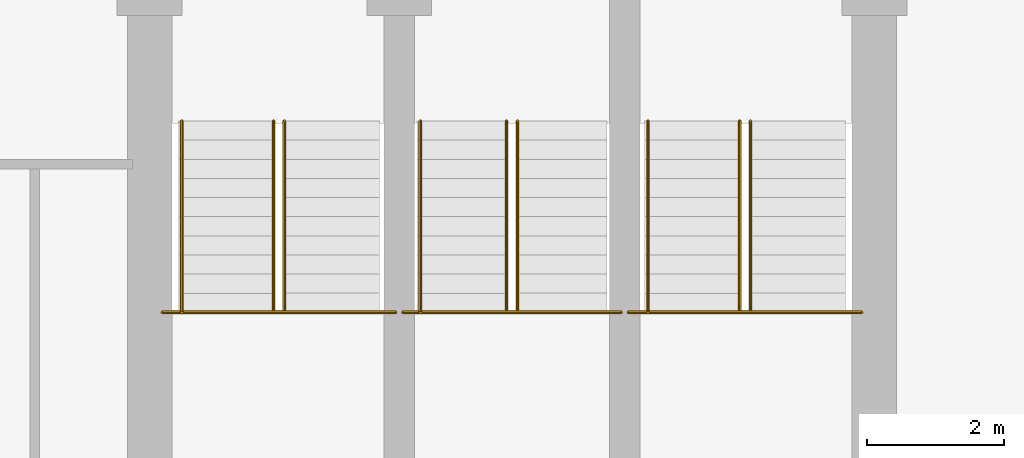
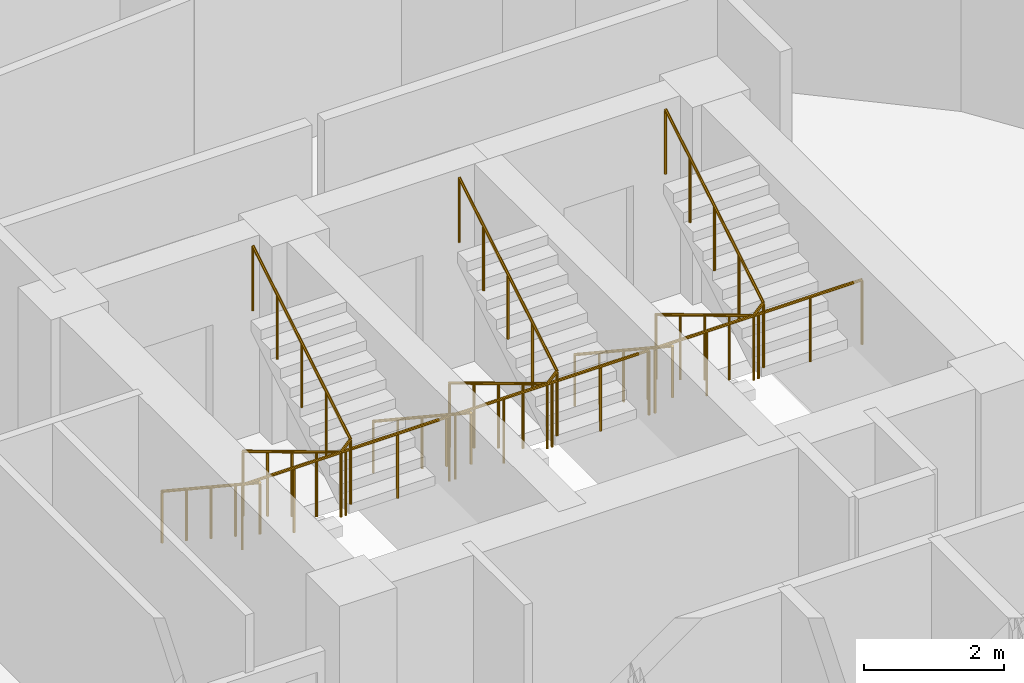
# One storey, part 26 of 26: 9 railings.
"""IFC4 building model written with IfcOpenShell, lengths in metres."""

from ifc_helpers import new_model, si_unit, direction, frame, origin, place, context, subcontext, project, spatial, polyline, outline, extrude, material, type_object, element, save


model = new_model("IFC4")

# Units and contexts
model_context = context("Model", 3, precision=1e-05, world=origin(), true_north=direction((0.0, 1.0)))
body_context = subcontext(model_context, "Body", "Model", "MODEL_VIEW")
ifc_project = project(units=[si_unit("LENGTHUNIT", "METRE"), si_unit("AREAUNIT", "SQUARE_METRE"), si_unit("VOLUMEUNIT", "CUBIC_METRE"), si_unit("PLANEANGLEUNIT", "RADIAN"), si_unit("MASSUNIT", "GRAM", prefix="KILO")], contexts=[model_context])

# Site, building, storey
site_placement = place(None, origin())
site = spatial("IfcSite", under=ifc_project, at=site_placement, CompositionType="ELEMENT")
building_placement = place(site_placement, origin())
building = spatial("IfcBuilding", under=site, at=building_placement, Name="Nuhasar Tower", CompositionType="ELEMENT")
storey_placement = place(building_placement, frame((0.0, 0.0, 144.14990234375)))
storey = spatial("IfcBuildingStorey", under=building, at=storey_placement, Name="L34", CompositionType="ELEMENT", Elevation=144.14990234375)

# Railings
ifc_material_1 = material(Name="Steel S355", Category="steel")
railing_type_1 = type_object("IfcRailingType", Name="RLG-STAIR-GUARD-1150", PredefinedType="GUARDRAIL", material=ifc_material_1)
railing_1_placement = place(storey_placement, frame((33.8798828125, 32.485107421875, 1.85009765625)))
element("IfcRailing", 1, at=railing_1_placement, inside=storey, type_object=railing_type_1, Name="L34 Stair ST-01 Guardrail LND", PredefinedType="GUARDRAIL", context=body_context, shape_type="SweptSolid", body=[
    extrude(outline(polyline([(0.024169921875, 0.0), (0.01708984375, 0.01708984375), (0.0, 0.024169921875), (-0.01708984375, 0.01708984375), (-0.024169921875, 0.0), (-0.01708984375, -0.01708984375), (0.0, -0.024169921875), (0.01708984375, -0.01708984375), (0.024169921875, 0.0)])), frame((0.0, 0.0, 1.1259765625), z_axis=(1.0, 0.0, 0.0), x_axis=(0.0, 1.0, 0.0)), (0.0, 0.0, 1.0), 3.420166015625),
    extrude(outline(polyline([(0.02099609375, 0.0), (0.014892578125, 0.014892578125), (0.0, 0.02099609375), (-0.014892578125, 0.014892578125), (-0.02099609375, 0.0), (-0.014892578125, -0.014892578125), (0.0, -0.02099609375), (0.014892578125, -0.014892578125), (0.02099609375, 0.0)])), origin(), (0.0, 0.0, 1.0), 1.101806640625),
    extrude(outline(polyline([(0.02099609375, 0.0), (0.014892578125, 0.014892578125), (0.0, 0.02099609375), (-0.014892578125, 0.014892578125), (-0.02099609375, 0.0), (-0.014892578125, -0.014892578125), (0.0, -0.02099609375), (0.014892578125, -0.014892578125), (0.02099609375, 0.0)])), frame((0.85498046875, 0.0, 0.0)), (0.0, 0.0, 1.0), 1.101806640625),
    extrude(outline(polyline([(0.02099609375, 0.0), (0.014892578125, 0.014892578125), (0.0, 0.02099609375), (-0.014892578125, 0.014892578125), (-0.02099609375, 0.0), (-0.014892578125, -0.014892578125), (0.0, -0.02099609375), (0.014892578125, -0.014892578125), (0.02099609375, 0.0)])), frame((1.7099609375, 0.0, 0.0)), (0.0, 0.0, 1.0), 1.101806640625),
    extrude(outline(polyline([(0.02099609375, 0.0), (0.014892578125, 0.014892578125), (0.0, 0.02099609375), (-0.014892578125, 0.014892578125), (-0.02099609375, 0.0), (-0.014892578125, -0.014892578125), (0.0, -0.02099609375), (0.014892578125, -0.014892578125), (0.02099609375, 0.0)])), frame((2.565185546875, 0.0, 0.0)), (0.0, 0.0, 1.0), 1.101806640625),
    extrude(outline(polyline([(0.02099609375, 0.0), (0.014892578125, 0.014892578125), (0.0, 0.02099609375), (-0.014892578125, 0.014892578125), (-0.02099609375, 0.0), (-0.014892578125, -0.014892578125), (0.0, -0.02099609375), (0.014892578125, -0.014892578125), (0.02099609375, 0.0)])), frame((3.420166015625, 0.0, 0.0)), (0.0, 0.0, 1.0), 1.101806640625),
])
railing_2_placement = place(storey_placement, frame((35.510009765625, 35.284912109375, 0.168212890625)))
element("IfcRailing", 2, at=railing_2_placement, inside=storey, type_object=railing_type_1, Name="L34 Stair ST-01 Guardrail SLT", PredefinedType="GUARDRAIL", context=body_context, shape_type="SweptSolid", body=[
    extrude(outline(polyline([(0.024169921875, 0.0), (0.01708984375, 0.01708984375), (0.0, 0.024169921875), (-0.01708984375, 0.01708984375), (-0.024169921875, 0.0), (-0.01708984375, -0.01708984375), (0.0, -0.024169921875), (0.01708984375, -0.01708984375), (0.024169921875, 0.0)])), frame((0.0, 0.0, 1.1259765625), z_axis=(0.0, -0.857222391501, 0.514946377315), x_axis=(1.0, 0.0, 0.0)), (0.0, 0.0, 1.0), 3.26611328125),
    extrude(outline(polyline([(0.024169921875, 0.0), (0.01708984375, 0.01708984375), (0.0, 0.024169921875), (-0.01708984375, 0.01708984375), (-0.024169921875, 0.0), (-0.01708984375, -0.01708984375), (0.0, -0.024169921875), (0.01708984375, -0.01708984375), (0.024169921875, 0.0)])), frame((0.0, -2.7998046875, 2.8076171875), z_axis=(0.689523729023, 0.0, 0.72426309247), x_axis=(0.0, 1.0, 0.0)), (0.0, 0.0, 1.0), 0.23193359375),
    extrude(outline(polyline([(0.024169921875, 0.0), (0.01708984375, 0.01708984375), (0.0, 0.024169921875), (-0.01708984375, 0.01708984375), (-0.024169921875, 0.0), (-0.01708984375, -0.01708984375), (0.0, -0.024169921875), (0.01708984375, -0.01708984375), (0.024169921875, 0.0)])), frame((0.159912109375, -2.7998046875, 2.9755859375), z_axis=(0.0, 0.857189395008, 0.515001302023), x_axis=(-1.0, 0.0, 0.0)), (0.0, 0.0, 1.0), 3.266357421875),
    extrude(outline(polyline([(0.02099609375, 0.0), (0.014892578125, 0.014892578125), (0.0, 0.02099609375), (-0.014892578125, 0.014892578125), (-0.02099609375, 0.0), (-0.014892578125, -0.014892578125), (0.0, -0.02099609375), (0.014892578125, -0.014892578125), (0.02099609375, 0.0)])), origin(), (0.0, 0.0, 1.0), 1.101806640625),
    extrude(outline(polyline([(0.02099609375, 0.0), (0.014892578125, 0.014892578125), (0.0, 0.02099609375), (-0.014892578125, 0.014892578125), (-0.02099609375, 0.0), (-0.014892578125, -0.014892578125), (0.0, -0.02099609375), (0.014892578125, -0.014892578125), (0.02099609375, 0.0)])), frame((0.0, -0.699951171875, 0.42041015625)), (0.0, 0.0, 1.0), 1.101806640625),
    extrude(outline(polyline([(0.02099609375, 0.0), (0.014892578125, 0.014892578125), (0.0, 0.02099609375), (-0.014892578125, 0.014892578125), (-0.02099609375, 0.0), (-0.014892578125, -0.014892578125), (0.0, -0.02099609375), (0.014892578125, -0.014892578125), (0.02099609375, 0.0)])), frame((0.0, -1.39990234375, 0.8408203125)), (0.0, 0.0, 1.0), 1.101806640625),
    extrude(outline(polyline([(0.02099609375, 0.0), (0.014892578125, 0.014892578125), (0.0, 0.02099609375), (-0.014892578125, 0.014892578125), (-0.02099609375, 0.0), (-0.014892578125, -0.014892578125), (0.0, -0.02099609375), (0.014892578125, -0.014892578125), (0.02099609375, 0.0)])), frame((0.0, -2.099853515625, 1.261474609375)), (0.0, 0.0, 1.0), 1.101806640625),
    extrude(outline(polyline([(0.02099609375, 0.0), (0.014892578125, 0.014892578125), (0.0, 0.02099609375), (-0.014892578125, 0.014892578125), (-0.02099609375, 0.0), (-0.014892578125, -0.014892578125), (0.0, -0.02099609375), (0.014892578125, -0.014892578125), (0.02099609375, 0.0)])), frame((0.0, -2.7998046875, 1.681884765625)), (0.0, 0.0, 1.0), 1.101806640625),
    extrude(outline(polyline([(0.02099609375, 0.0), (0.014892578125, 0.014892578125), (0.0, 0.02099609375), (-0.014892578125, 0.014892578125), (-0.02099609375, 0.0), (-0.014892578125, -0.014892578125), (0.0, -0.02099609375), (0.014892578125, -0.014892578125), (0.02099609375, 0.0)])), frame((0.159912109375, -2.7998046875, 1.849853515625)), (0.0, 0.0, 1.0), 1.101806640625),
    extrude(outline(polyline([(0.02099609375, 0.0), (0.014892578125, 0.014892578125), (0.0, 0.02099609375), (-0.014892578125, 0.014892578125), (-0.02099609375, 0.0), (-0.014892578125, -0.014892578125), (0.0, -0.02099609375), (0.014892578125, -0.014892578125), (0.02099609375, 0.0)])), frame((0.159912109375, -2.099853515625, 2.2705078125)), (0.0, 0.0, 1.0), 1.101806640625),
    extrude(outline(polyline([(0.02099609375, 0.0), (0.014892578125, 0.014892578125), (0.0, 0.02099609375), (-0.014892578125, 0.014892578125), (-0.02099609375, 0.0), (-0.014892578125, -0.014892578125), (0.0, -0.02099609375), (0.014892578125, -0.014892578125), (0.02099609375, 0.0)])), frame((0.159912109375, -1.39990234375, 2.69091796875)), (0.0, 0.0, 1.0), 1.101806640625),
    extrude(outline(polyline([(0.02099609375, 0.0), (0.014892578125, 0.014892578125), (0.0, 0.02099609375), (-0.014892578125, 0.014892578125), (-0.02099609375, 0.0), (-0.014892578125, -0.014892578125), (0.0, -0.02099609375), (0.014892578125, -0.014892578125), (0.02099609375, 0.0)])), frame((0.159912109375, -0.699951171875, 3.111328125)), (0.0, 0.0, 1.0), 1.101806640625),
    extrude(outline(polyline([(0.02099609375, 0.0), (0.014892578125, 0.014892578125), (0.0, 0.02099609375), (-0.014892578125, 0.014892578125), (-0.02099609375, 0.0), (-0.014892578125, -0.014892578125), (0.0, -0.02099609375), (0.014892578125, -0.014892578125), (0.02099609375, 0.0)])), frame((0.159912109375, 0.0, 3.531982421875)), (0.0, 0.0, 1.0), 1.101806640625),
])
railing_3_placement = place(storey_placement, frame((37.39990234375, 32.485107421875, 1.85009765625)))
element("IfcRailing", 3, at=railing_3_placement, inside=storey, type_object=railing_type_1, Name="L34 Stair ST-03 Guardrail LND", PredefinedType="GUARDRAIL", context=body_context, shape_type="SweptSolid", body=[
    extrude(outline(polyline([(0.024169921875, 0.0), (0.01708984375, 0.01708984375), (0.0, 0.024169921875), (-0.01708984375, 0.01708984375), (-0.024169921875, 0.0), (-0.01708984375, -0.01708984375), (0.0, -0.024169921875), (0.01708984375, -0.01708984375), (0.024169921875, 0.0)])), frame((0.0, 0.0, 1.1259765625), z_axis=(1.0, 0.0, 0.0), x_axis=(0.0, 1.0, 0.0)), (0.0, 0.0, 1.0), 3.2001953125),
    extrude(outline(polyline([(0.02099609375, 0.0), (0.014892578125, 0.014892578125), (0.0, 0.02099609375), (-0.014892578125, 0.014892578125), (-0.02099609375, 0.0), (-0.014892578125, -0.014892578125), (0.0, -0.02099609375), (0.014892578125, -0.014892578125), (0.02099609375, 0.0)])), origin(), (0.0, 0.0, 1.0), 1.101806640625),
    extrude(outline(polyline([(0.02099609375, 0.0), (0.014892578125, 0.014892578125), (0.0, 0.02099609375), (-0.014892578125, 0.014892578125), (-0.02099609375, 0.0), (-0.014892578125, -0.014892578125), (0.0, -0.02099609375), (0.014892578125, -0.014892578125), (0.02099609375, 0.0)])), frame((0.800048828125, 0.0, 0.0)), (0.0, 0.0, 1.0), 1.101806640625),
    extrude(outline(polyline([(0.02099609375, 0.0), (0.014892578125, 0.014892578125), (0.0, 0.02099609375), (-0.014892578125, 0.014892578125), (-0.02099609375, 0.0), (-0.014892578125, -0.014892578125), (0.0, -0.02099609375), (0.014892578125, -0.014892578125), (0.02099609375, 0.0)])), frame((1.60009765625, 0.0, 0.0)), (0.0, 0.0, 1.0), 1.101806640625),
    extrude(outline(polyline([(0.02099609375, 0.0), (0.014892578125, 0.014892578125), (0.0, 0.02099609375), (-0.014892578125, 0.014892578125), (-0.02099609375, 0.0), (-0.014892578125, -0.014892578125), (0.0, -0.02099609375), (0.014892578125, -0.014892578125), (0.02099609375, 0.0)])), frame((2.400146484375, 0.0, 0.0)), (0.0, 0.0, 1.0), 1.101806640625),
    extrude(outline(polyline([(0.02099609375, 0.0), (0.014892578125, 0.014892578125), (0.0, 0.02099609375), (-0.014892578125, 0.014892578125), (-0.02099609375, 0.0), (-0.014892578125, -0.014892578125), (0.0, -0.02099609375), (0.014892578125, -0.014892578125), (0.02099609375, 0.0)])), frame((3.2001953125, 0.0, 0.0)), (0.0, 0.0, 1.0), 1.101806640625),
])
railing_4_placement = place(storey_placement, frame((38.919921875, 35.284912109375, 0.168212890625)))
element("IfcRailing", 4, at=railing_4_placement, inside=storey, type_object=railing_type_1, Name="L34 Stair ST-03 Guardrail SLT", PredefinedType="GUARDRAIL", context=body_context, shape_type="SweptSolid", body=[
    extrude(outline(polyline([(0.024169921875, 0.0), (0.01708984375, 0.01708984375), (0.0, 0.024169921875), (-0.01708984375, 0.01708984375), (-0.024169921875, 0.0), (-0.01708984375, -0.01708984375), (0.0, -0.024169921875), (0.01708984375, -0.01708984375), (0.024169921875, 0.0)])), frame((0.0, 0.0, 1.1259765625), z_axis=(0.0, -0.857222391501, 0.514946377315), x_axis=(1.0, 0.0, 0.0)), (0.0, 0.0, 1.0), 3.26611328125),
    extrude(outline(polyline([(0.024169921875, 0.0), (0.01708984375, 0.01708984375), (0.0, 0.024169921875), (-0.01708984375, 0.01708984375), (-0.024169921875, 0.0), (-0.01708984375, -0.01708984375), (0.0, -0.024169921875), (0.01708984375, -0.01708984375), (0.024169921875, 0.0)])), frame((0.0, -2.7998046875, 2.8076171875), z_axis=(0.690075333573, 0.0, 0.723737544967), x_axis=(0.0, 1.0, 0.0)), (0.0, 0.0, 1.0), 0.232177734375),
    extrude(outline(polyline([(0.024169921875, 0.0), (0.01708984375, 0.01708984375), (0.0, 0.024169921875), (-0.01708984375, 0.01708984375), (-0.024169921875, 0.0), (-0.01708984375, -0.01708984375), (0.0, -0.024169921875), (0.01708984375, -0.01708984375), (0.024169921875, 0.0)])), frame((0.16015625, -2.7998046875, 2.9755859375), z_axis=(0.0, 0.857189395008, 0.515001302023), x_axis=(-1.0, 0.0, 0.0)), (0.0, 0.0, 1.0), 3.266357421875),
    extrude(outline(polyline([(0.02099609375, 0.0), (0.014892578125, 0.014892578125), (0.0, 0.02099609375), (-0.014892578125, 0.014892578125), (-0.02099609375, 0.0), (-0.014892578125, -0.014892578125), (0.0, -0.02099609375), (0.014892578125, -0.014892578125), (0.02099609375, 0.0)])), origin(), (0.0, 0.0, 1.0), 1.101806640625),
    extrude(outline(polyline([(0.02099609375, 0.0), (0.014892578125, 0.014892578125), (0.0, 0.02099609375), (-0.014892578125, 0.014892578125), (-0.02099609375, 0.0), (-0.014892578125, -0.014892578125), (0.0, -0.02099609375), (0.014892578125, -0.014892578125), (0.02099609375, 0.0)])), frame((0.0, -0.699951171875, 0.42041015625)), (0.0, 0.0, 1.0), 1.101806640625),
    extrude(outline(polyline([(0.02099609375, 0.0), (0.014892578125, 0.014892578125), (0.0, 0.02099609375), (-0.014892578125, 0.014892578125), (-0.02099609375, 0.0), (-0.014892578125, -0.014892578125), (0.0, -0.02099609375), (0.014892578125, -0.014892578125), (0.02099609375, 0.0)])), frame((0.0, -1.39990234375, 0.8408203125)), (0.0, 0.0, 1.0), 1.101806640625),
    extrude(outline(polyline([(0.02099609375, 0.0), (0.014892578125, 0.014892578125), (0.0, 0.02099609375), (-0.014892578125, 0.014892578125), (-0.02099609375, 0.0), (-0.014892578125, -0.014892578125), (0.0, -0.02099609375), (0.014892578125, -0.014892578125), (0.02099609375, 0.0)])), frame((0.0, -2.099853515625, 1.261474609375)), (0.0, 0.0, 1.0), 1.101806640625),
    extrude(outline(polyline([(0.02099609375, 0.0), (0.014892578125, 0.014892578125), (0.0, 0.02099609375), (-0.014892578125, 0.014892578125), (-0.02099609375, 0.0), (-0.014892578125, -0.014892578125), (0.0, -0.02099609375), (0.014892578125, -0.014892578125), (0.02099609375, 0.0)])), frame((0.0, -2.7998046875, 1.681884765625)), (0.0, 0.0, 1.0), 1.101806640625),
    extrude(outline(polyline([(0.02099609375, 0.0), (0.014892578125, 0.014892578125), (0.0, 0.02099609375), (-0.014892578125, 0.014892578125), (-0.02099609375, 0.0), (-0.014892578125, -0.014892578125), (0.0, -0.02099609375), (0.014892578125, -0.014892578125), (0.02099609375, 0.0)])), frame((0.16015625, -2.7998046875, 1.849853515625)), (0.0, 0.0, 1.0), 1.101806640625),
    extrude(outline(polyline([(0.02099609375, 0.0), (0.014892578125, 0.014892578125), (0.0, 0.02099609375), (-0.014892578125, 0.014892578125), (-0.02099609375, 0.0), (-0.014892578125, -0.014892578125), (0.0, -0.02099609375), (0.014892578125, -0.014892578125), (0.02099609375, 0.0)])), frame((0.16015625, -2.099853515625, 2.2705078125)), (0.0, 0.0, 1.0), 1.101806640625),
    extrude(outline(polyline([(0.02099609375, 0.0), (0.014892578125, 0.014892578125), (0.0, 0.02099609375), (-0.014892578125, 0.014892578125), (-0.02099609375, 0.0), (-0.014892578125, -0.014892578125), (0.0, -0.02099609375), (0.014892578125, -0.014892578125), (0.02099609375, 0.0)])), frame((0.16015625, -1.39990234375, 2.69091796875)), (0.0, 0.0, 1.0), 1.101806640625),
    extrude(outline(polyline([(0.02099609375, 0.0), (0.014892578125, 0.014892578125), (0.0, 0.02099609375), (-0.014892578125, 0.014892578125), (-0.02099609375, 0.0), (-0.014892578125, -0.014892578125), (0.0, -0.02099609375), (0.014892578125, -0.014892578125), (0.02099609375, 0.0)])), frame((0.16015625, -0.699951171875, 3.111328125)), (0.0, 0.0, 1.0), 1.101806640625),
    extrude(outline(polyline([(0.02099609375, 0.0), (0.014892578125, 0.014892578125), (0.0, 0.02099609375), (-0.014892578125, 0.014892578125), (-0.02099609375, 0.0), (-0.014892578125, -0.014892578125), (0.0, -0.02099609375), (0.014892578125, -0.014892578125), (0.02099609375, 0.0)])), frame((0.16015625, 0.0, 3.531982421875)), (0.0, 0.0, 1.0), 1.101806640625),
])
railing_5_placement = place(storey_placement, frame((40.699951171875, 32.485107421875, 1.85009765625)))
element("IfcRailing", 5, at=railing_5_placement, inside=storey, type_object=railing_type_1, Name="L34 Stair ST-02 Guardrail LND", PredefinedType="GUARDRAIL", context=body_context, shape_type="SweptSolid", body=[
    extrude(outline(polyline([(0.024169921875, 0.0), (0.01708984375, 0.01708984375), (0.0, 0.024169921875), (-0.01708984375, 0.01708984375), (-0.024169921875, 0.0), (-0.01708984375, -0.01708984375), (0.0, -0.024169921875), (0.01708984375, -0.01708984375), (0.024169921875, 0.0)])), frame((0.0, 0.0, 1.1259765625), z_axis=(1.0, 0.0, 0.0), x_axis=(0.0, 1.0, 0.0)), (0.0, 0.0, 1.0), 3.420166015625),
    extrude(outline(polyline([(0.02099609375, 0.0), (0.014892578125, 0.014892578125), (0.0, 0.02099609375), (-0.014892578125, 0.014892578125), (-0.02099609375, 0.0), (-0.014892578125, -0.014892578125), (0.0, -0.02099609375), (0.014892578125, -0.014892578125), (0.02099609375, 0.0)])), origin(), (0.0, 0.0, 1.0), 1.101806640625),
    extrude(outline(polyline([(0.02099609375, 0.0), (0.014892578125, 0.014892578125), (0.0, 0.02099609375), (-0.014892578125, 0.014892578125), (-0.02099609375, 0.0), (-0.014892578125, -0.014892578125), (0.0, -0.02099609375), (0.014892578125, -0.014892578125), (0.02099609375, 0.0)])), frame((0.85498046875, 0.0, 0.0)), (0.0, 0.0, 1.0), 1.101806640625),
    extrude(outline(polyline([(0.02099609375, 0.0), (0.014892578125, 0.014892578125), (0.0, 0.02099609375), (-0.014892578125, 0.014892578125), (-0.02099609375, 0.0), (-0.014892578125, -0.014892578125), (0.0, -0.02099609375), (0.014892578125, -0.014892578125), (0.02099609375, 0.0)])), frame((1.7099609375, 0.0, 0.0)), (0.0, 0.0, 1.0), 1.101806640625),
    extrude(outline(polyline([(0.02099609375, 0.0), (0.014892578125, 0.014892578125), (0.0, 0.02099609375), (-0.014892578125, 0.014892578125), (-0.02099609375, 0.0), (-0.014892578125, -0.014892578125), (0.0, -0.02099609375), (0.014892578125, -0.014892578125), (0.02099609375, 0.0)])), frame((2.565185546875, 0.0, 0.0)), (0.0, 0.0, 1.0), 1.101806640625),
    extrude(outline(polyline([(0.02099609375, 0.0), (0.014892578125, 0.014892578125), (0.0, 0.02099609375), (-0.014892578125, 0.014892578125), (-0.02099609375, 0.0), (-0.014892578125, -0.014892578125), (0.0, -0.02099609375), (0.014892578125, -0.014892578125), (0.02099609375, 0.0)])), frame((3.420166015625, 0.0, 0.0)), (0.0, 0.0, 1.0), 1.101806640625),
])
railing_6_placement = place(storey_placement, frame((42.330078125, 35.284912109375, 0.168212890625)))
element("IfcRailing", 6, at=railing_6_placement, inside=storey, type_object=railing_type_1, Name="L34 Stair ST-02 Guardrail SLT", PredefinedType="GUARDRAIL", context=body_context, shape_type="SweptSolid", body=[
    extrude(outline(polyline([(0.024169921875, 0.0), (0.01708984375, 0.01708984375), (0.0, 0.024169921875), (-0.01708984375, 0.01708984375), (-0.024169921875, 0.0), (-0.01708984375, -0.01708984375), (0.0, -0.024169921875), (0.01708984375, -0.01708984375), (0.024169921875, 0.0)])), frame((0.0, 0.0, 1.1259765625), z_axis=(0.0, -0.857222391501, 0.514946377315), x_axis=(1.0, 0.0, 0.0)), (0.0, 0.0, 1.0), 3.26611328125),
    extrude(outline(polyline([(0.024169921875, 0.0), (0.01708984375, 0.01708984375), (0.0, 0.024169921875), (-0.01708984375, 0.01708984375), (-0.024169921875, 0.0), (-0.01708984375, -0.01708984375), (0.0, -0.024169921875), (0.01708984375, -0.01708984375), (0.024169921875, 0.0)])), frame((0.0, -2.7998046875, 2.8076171875), z_axis=(0.689523729023, 0.0, 0.72426309247), x_axis=(0.0, 1.0, 0.0)), (0.0, 0.0, 1.0), 0.23193359375),
    extrude(outline(polyline([(0.024169921875, 0.0), (0.01708984375, 0.01708984375), (0.0, 0.024169921875), (-0.01708984375, 0.01708984375), (-0.024169921875, 0.0), (-0.01708984375, -0.01708984375), (0.0, -0.024169921875), (0.01708984375, -0.01708984375), (0.024169921875, 0.0)])), frame((0.159912109375, -2.7998046875, 2.9755859375), z_axis=(0.0, 0.857189395008, 0.515001302023), x_axis=(-1.0, 0.0, 0.0)), (0.0, 0.0, 1.0), 3.266357421875),
    extrude(outline(polyline([(0.02099609375, 0.0), (0.014892578125, 0.014892578125), (0.0, 0.02099609375), (-0.014892578125, 0.014892578125), (-0.02099609375, 0.0), (-0.014892578125, -0.014892578125), (0.0, -0.02099609375), (0.014892578125, -0.014892578125), (0.02099609375, 0.0)])), origin(), (0.0, 0.0, 1.0), 1.101806640625),
    extrude(outline(polyline([(0.02099609375, 0.0), (0.014892578125, 0.014892578125), (0.0, 0.02099609375), (-0.014892578125, 0.014892578125), (-0.02099609375, 0.0), (-0.014892578125, -0.014892578125), (0.0, -0.02099609375), (0.014892578125, -0.014892578125), (0.02099609375, 0.0)])), frame((0.0, -0.699951171875, 0.42041015625)), (0.0, 0.0, 1.0), 1.101806640625),
    extrude(outline(polyline([(0.02099609375, 0.0), (0.014892578125, 0.014892578125), (0.0, 0.02099609375), (-0.014892578125, 0.014892578125), (-0.02099609375, 0.0), (-0.014892578125, -0.014892578125), (0.0, -0.02099609375), (0.014892578125, -0.014892578125), (0.02099609375, 0.0)])), frame((0.0, -1.39990234375, 0.8408203125)), (0.0, 0.0, 1.0), 1.101806640625),
    extrude(outline(polyline([(0.02099609375, 0.0), (0.014892578125, 0.014892578125), (0.0, 0.02099609375), (-0.014892578125, 0.014892578125), (-0.02099609375, 0.0), (-0.014892578125, -0.014892578125), (0.0, -0.02099609375), (0.014892578125, -0.014892578125), (0.02099609375, 0.0)])), frame((0.0, -2.099853515625, 1.261474609375)), (0.0, 0.0, 1.0), 1.101806640625),
    extrude(outline(polyline([(0.02099609375, 0.0), (0.014892578125, 0.014892578125), (0.0, 0.02099609375), (-0.014892578125, 0.014892578125), (-0.02099609375, 0.0), (-0.014892578125, -0.014892578125), (0.0, -0.02099609375), (0.014892578125, -0.014892578125), (0.02099609375, 0.0)])), frame((0.0, -2.7998046875, 1.681884765625)), (0.0, 0.0, 1.0), 1.101806640625),
    extrude(outline(polyline([(0.02099609375, 0.0), (0.014892578125, 0.014892578125), (0.0, 0.02099609375), (-0.014892578125, 0.014892578125), (-0.02099609375, 0.0), (-0.014892578125, -0.014892578125), (0.0, -0.02099609375), (0.014892578125, -0.014892578125), (0.02099609375, 0.0)])), frame((0.159912109375, -2.7998046875, 1.849853515625)), (0.0, 0.0, 1.0), 1.101806640625),
    extrude(outline(polyline([(0.02099609375, 0.0), (0.014892578125, 0.014892578125), (0.0, 0.02099609375), (-0.014892578125, 0.014892578125), (-0.02099609375, 0.0), (-0.014892578125, -0.014892578125), (0.0, -0.02099609375), (0.014892578125, -0.014892578125), (0.02099609375, 0.0)])), frame((0.159912109375, -2.099853515625, 2.2705078125)), (0.0, 0.0, 1.0), 1.101806640625),
    extrude(outline(polyline([(0.02099609375, 0.0), (0.014892578125, 0.014892578125), (0.0, 0.02099609375), (-0.014892578125, 0.014892578125), (-0.02099609375, 0.0), (-0.014892578125, -0.014892578125), (0.0, -0.02099609375), (0.014892578125, -0.014892578125), (0.02099609375, 0.0)])), frame((0.159912109375, -1.39990234375, 2.69091796875)), (0.0, 0.0, 1.0), 1.101806640625),
    extrude(outline(polyline([(0.02099609375, 0.0), (0.014892578125, 0.014892578125), (0.0, 0.02099609375), (-0.014892578125, 0.014892578125), (-0.02099609375, 0.0), (-0.014892578125, -0.014892578125), (0.0, -0.02099609375), (0.014892578125, -0.014892578125), (0.02099609375, 0.0)])), frame((0.159912109375, -0.699951171875, 3.111328125)), (0.0, 0.0, 1.0), 1.101806640625),
    extrude(outline(polyline([(0.02099609375, 0.0), (0.014892578125, 0.014892578125), (0.0, 0.02099609375), (-0.014892578125, 0.014892578125), (-0.02099609375, 0.0), (-0.014892578125, -0.014892578125), (0.0, -0.02099609375), (0.014892578125, -0.014892578125), (0.02099609375, 0.0)])), frame((0.159912109375, 0.0, 3.531982421875)), (0.0, 0.0, 1.0), 1.101806640625),
])
ifc_material_2 = material(Name="Stainless Steel 316L", Category="steel")
railing_type_2 = type_object("IfcRailingType", Name="RLG-STAIR-HAND-920", PredefinedType="HANDRAIL", material=ifc_material_2)
railing_7_placement = place(storey_placement, frame((34.169921875, 35.284912109375, 0.168212890625)))
element("IfcRailing", 7, at=railing_7_placement, inside=storey, type_object=railing_type_2, Name="L34 Stair ST-01 Handrail HND1", PredefinedType="HANDRAIL", context=body_context, shape_type="SweptSolid", body=[
    extrude(outline(polyline([(0.024169921875, 0.0), (0.01708984375, 0.01708984375), (0.0, 0.024169921875), (-0.01708984375, 0.01708984375), (-0.024169921875, 0.0), (-0.01708984375, -0.01708984375), (0.0, -0.024169921875), (0.01708984375, -0.01708984375), (0.024169921875, 0.0)])), frame((0.0, 0.0, 0.89599609375), z_axis=(0.0, -0.834337710781, 0.551253647941), x_axis=(1.0, 0.0, 0.0)), (0.0, 0.0, 1.0), 3.355712890625),
    extrude(outline(polyline([(0.02099609375, 0.0), (0.014892578125, 0.014892578125), (0.0, 0.02099609375), (-0.014892578125, 0.014892578125), (-0.02099609375, 0.0), (-0.014892578125, -0.014892578125), (0.0, -0.02099609375), (0.014892578125, -0.014892578125), (0.02099609375, 0.0)])), origin(), (0.0, 0.0, 1.0), 0.871826171875),
    extrude(outline(polyline([(0.02099609375, 0.0), (0.014892578125, 0.014892578125), (0.0, 0.02099609375), (-0.014892578125, 0.014892578125), (-0.02099609375, 0.0), (-0.014892578125, -0.014892578125), (0.0, -0.02099609375), (0.014892578125, -0.014892578125), (0.02099609375, 0.0)])), frame((0.0, -0.699951171875, 0.46240234375)), (0.0, 0.0, 1.0), 0.871826171875),
    extrude(outline(polyline([(0.02099609375, 0.0), (0.014892578125, 0.014892578125), (0.0, 0.02099609375), (-0.014892578125, 0.014892578125), (-0.02099609375, 0.0), (-0.014892578125, -0.014892578125), (0.0, -0.02099609375), (0.014892578125, -0.014892578125), (0.02099609375, 0.0)])), frame((0.0, -1.39990234375, 0.9248046875)), (0.0, 0.0, 1.0), 0.871826171875),
    extrude(outline(polyline([(0.02099609375, 0.0), (0.014892578125, 0.014892578125), (0.0, 0.02099609375), (-0.014892578125, 0.014892578125), (-0.02099609375, 0.0), (-0.014892578125, -0.014892578125), (0.0, -0.02099609375), (0.014892578125, -0.014892578125), (0.02099609375, 0.0)])), frame((0.0, -2.099853515625, 1.387451171875)), (0.0, 0.0, 1.0), 0.871826171875),
    extrude(outline(polyline([(0.02099609375, 0.0), (0.014892578125, 0.014892578125), (0.0, 0.02099609375), (-0.014892578125, 0.014892578125), (-0.02099609375, 0.0), (-0.014892578125, -0.014892578125), (0.0, -0.02099609375), (0.014892578125, -0.014892578125), (0.02099609375, 0.0)])), frame((0.0, -2.7998046875, 1.849853515625)), (0.0, 0.0, 1.0), 0.871826171875),
])
railing_8_placement = place(storey_placement, frame((37.659912109375, 35.284912109375, 0.168212890625)))
element("IfcRailing", 8, at=railing_8_placement, inside=storey, type_object=railing_type_2, Name="L34 Stair ST-03 Handrail HND1", PredefinedType="HANDRAIL", context=body_context, shape_type="SweptSolid", body=[
    extrude(outline(polyline([(0.024169921875, 0.0), (0.01708984375, 0.01708984375), (0.0, 0.024169921875), (-0.01708984375, 0.01708984375), (-0.024169921875, 0.0), (-0.01708984375, -0.01708984375), (0.0, -0.024169921875), (0.01708984375, -0.01708984375), (0.024169921875, 0.0)])), frame((0.0, 0.0, 0.89599609375), z_axis=(0.0, -0.834337710781, 0.551253647941), x_axis=(1.0, 0.0, 0.0)), (0.0, 0.0, 1.0), 3.355712890625),
    extrude(outline(polyline([(0.02099609375, 0.0), (0.014892578125, 0.014892578125), (0.0, 0.02099609375), (-0.014892578125, 0.014892578125), (-0.02099609375, 0.0), (-0.014892578125, -0.014892578125), (0.0, -0.02099609375), (0.014892578125, -0.014892578125), (0.02099609375, 0.0)])), origin(), (0.0, 0.0, 1.0), 0.871826171875),
    extrude(outline(polyline([(0.02099609375, 0.0), (0.014892578125, 0.014892578125), (0.0, 0.02099609375), (-0.014892578125, 0.014892578125), (-0.02099609375, 0.0), (-0.014892578125, -0.014892578125), (0.0, -0.02099609375), (0.014892578125, -0.014892578125), (0.02099609375, 0.0)])), frame((0.0, -0.699951171875, 0.46240234375)), (0.0, 0.0, 1.0), 0.871826171875),
    extrude(outline(polyline([(0.02099609375, 0.0), (0.014892578125, 0.014892578125), (0.0, 0.02099609375), (-0.014892578125, 0.014892578125), (-0.02099609375, 0.0), (-0.014892578125, -0.014892578125), (0.0, -0.02099609375), (0.014892578125, -0.014892578125), (0.02099609375, 0.0)])), frame((0.0, -1.39990234375, 0.9248046875)), (0.0, 0.0, 1.0), 0.871826171875),
    extrude(outline(polyline([(0.02099609375, 0.0), (0.014892578125, 0.014892578125), (0.0, 0.02099609375), (-0.014892578125, 0.014892578125), (-0.02099609375, 0.0), (-0.014892578125, -0.014892578125), (0.0, -0.02099609375), (0.014892578125, -0.014892578125), (0.02099609375, 0.0)])), frame((0.0, -2.099853515625, 1.387451171875)), (0.0, 0.0, 1.0), 0.871826171875),
    extrude(outline(polyline([(0.02099609375, 0.0), (0.014892578125, 0.014892578125), (0.0, 0.02099609375), (-0.014892578125, 0.014892578125), (-0.02099609375, 0.0), (-0.014892578125, -0.014892578125), (0.0, -0.02099609375), (0.014892578125, -0.014892578125), (0.02099609375, 0.0)])), frame((0.0, -2.7998046875, 1.849853515625)), (0.0, 0.0, 1.0), 0.871826171875),
])
railing_9_placement = place(storey_placement, frame((40.989990234375, 35.284912109375, 0.168212890625)))
element("IfcRailing", 9, at=railing_9_placement, inside=storey, type_object=railing_type_2, Name="L34 Stair ST-02 Handrail HND1", PredefinedType="HANDRAIL", context=body_context, shape_type="SweptSolid", body=[
    extrude(outline(polyline([(0.024169921875, 0.0), (0.01708984375, 0.01708984375), (0.0, 0.024169921875), (-0.01708984375, 0.01708984375), (-0.024169921875, 0.0), (-0.01708984375, -0.01708984375), (0.0, -0.024169921875), (0.01708984375, -0.01708984375), (0.024169921875, 0.0)])), frame((0.0, 0.0, 0.89599609375), z_axis=(0.0, -0.834337710781, 0.551253647941), x_axis=(1.0, 0.0, 0.0)), (0.0, 0.0, 1.0), 3.355712890625),
    extrude(outline(polyline([(0.02099609375, 0.0), (0.014892578125, 0.014892578125), (0.0, 0.02099609375), (-0.014892578125, 0.014892578125), (-0.02099609375, 0.0), (-0.014892578125, -0.014892578125), (0.0, -0.02099609375), (0.014892578125, -0.014892578125), (0.02099609375, 0.0)])), origin(), (0.0, 0.0, 1.0), 0.871826171875),
    extrude(outline(polyline([(0.02099609375, 0.0), (0.014892578125, 0.014892578125), (0.0, 0.02099609375), (-0.014892578125, 0.014892578125), (-0.02099609375, 0.0), (-0.014892578125, -0.014892578125), (0.0, -0.02099609375), (0.014892578125, -0.014892578125), (0.02099609375, 0.0)])), frame((0.0, -0.699951171875, 0.46240234375)), (0.0, 0.0, 1.0), 0.871826171875),
    extrude(outline(polyline([(0.02099609375, 0.0), (0.014892578125, 0.014892578125), (0.0, 0.02099609375), (-0.014892578125, 0.014892578125), (-0.02099609375, 0.0), (-0.014892578125, -0.014892578125), (0.0, -0.02099609375), (0.014892578125, -0.014892578125), (0.02099609375, 0.0)])), frame((0.0, -1.39990234375, 0.9248046875)), (0.0, 0.0, 1.0), 0.871826171875),
    extrude(outline(polyline([(0.02099609375, 0.0), (0.014892578125, 0.014892578125), (0.0, 0.02099609375), (-0.014892578125, 0.014892578125), (-0.02099609375, 0.0), (-0.014892578125, -0.014892578125), (0.0, -0.02099609375), (0.014892578125, -0.014892578125), (0.02099609375, 0.0)])), frame((0.0, -2.099853515625, 1.387451171875)), (0.0, 0.0, 1.0), 0.871826171875),
    extrude(outline(polyline([(0.02099609375, 0.0), (0.014892578125, 0.014892578125), (0.0, 0.02099609375), (-0.014892578125, 0.014892578125), (-0.02099609375, 0.0), (-0.014892578125, -0.014892578125), (0.0, -0.02099609375), (0.014892578125, -0.014892578125), (0.02099609375, 0.0)])), frame((0.0, -2.7998046875, 1.849853515625)), (0.0, 0.0, 1.0), 0.871826171875),
])

save(model, "model.ifc")
